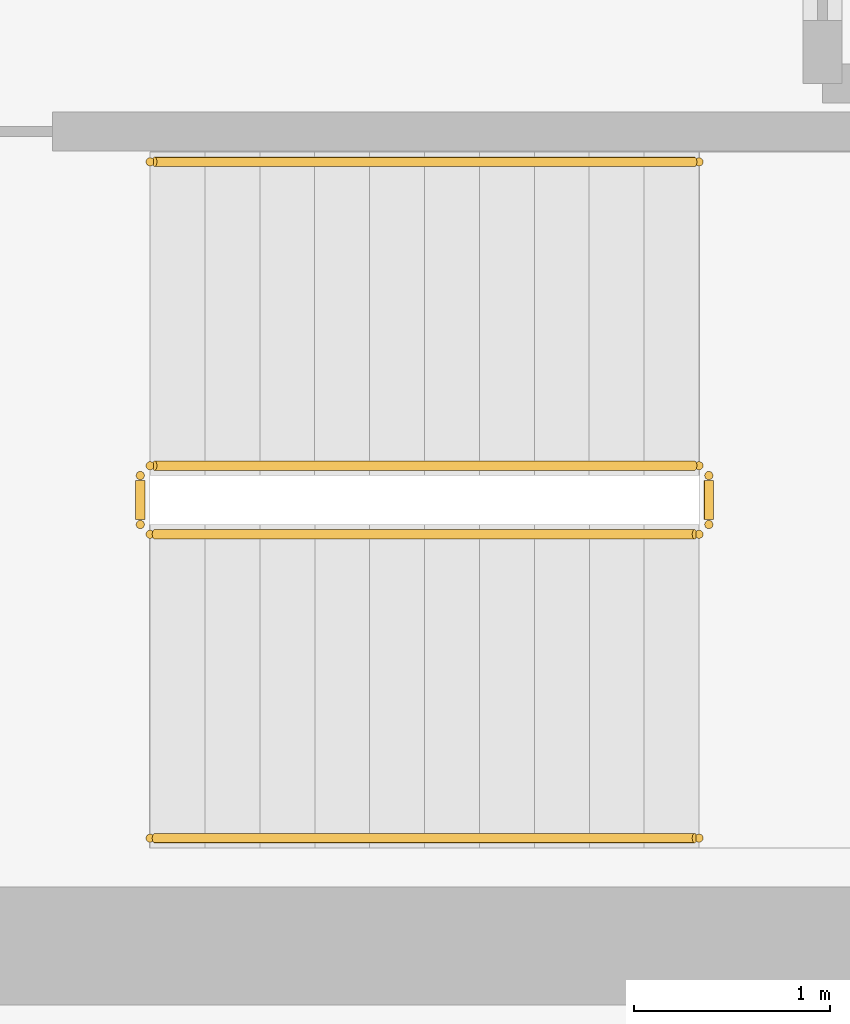
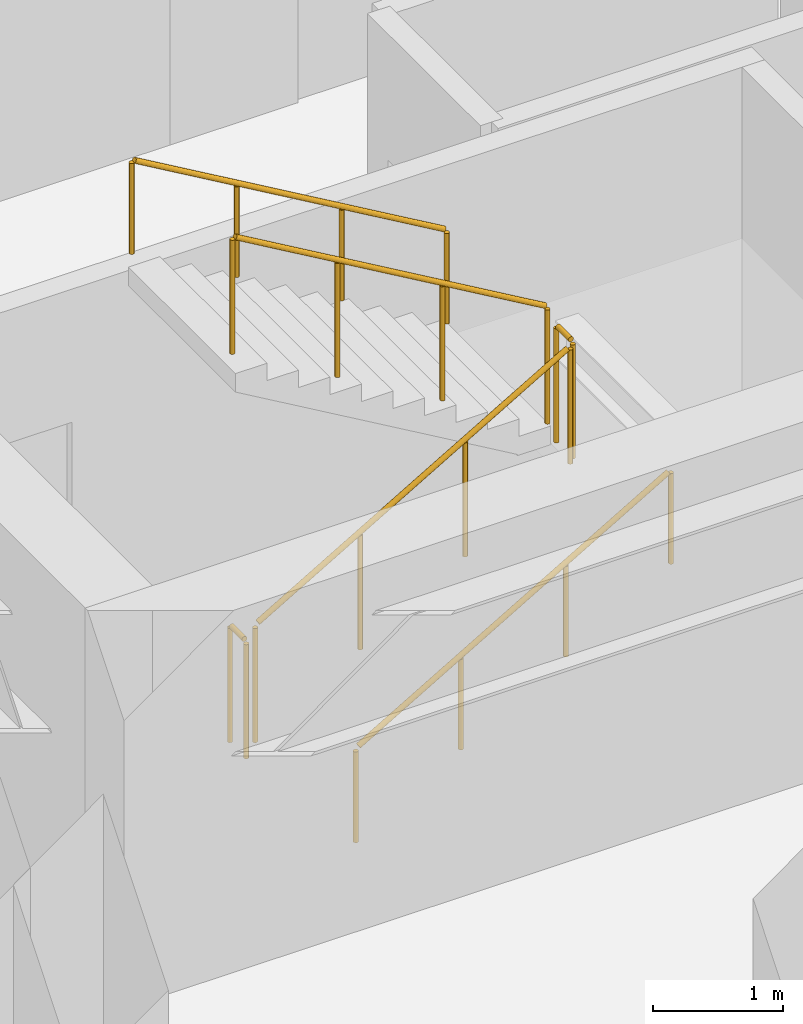
# One storey, part 13 of 13: 6 railings.
"""IFC4 building model written with IfcOpenShell, lengths in metres."""

from ifc_helpers import new_model, si_unit, direction, frame, origin, origin_2d, place, context, subcontext, project, spatial, circle, extrude, source, transform, mapped, material, layer, layer_set, type_object, element, save


model = new_model("IFC4")

# Units and contexts
model_context = context("Model", 3, precision=1e-05, world=origin(), true_north=direction((0.0, 1.0)))
body_context = subcontext(model_context, "Body", "Model", "MODEL_VIEW")
ifc_project = project(units=[si_unit("LENGTHUNIT", "METRE"), si_unit("AREAUNIT", "SQUARE_METRE"), si_unit("VOLUMEUNIT", "CUBIC_METRE"), si_unit("PLANEANGLEUNIT", "RADIAN"), si_unit("MASSUNIT", "GRAM", prefix="KILO")], contexts=[model_context])

# Site, building, storey
site_placement = place(None, origin())
site = spatial("IfcSite", under=ifc_project, at=site_placement, CompositionType="ELEMENT")
building_placement = place(site_placement, origin())
building = spatial("IfcBuilding", under=site, at=building_placement, Name="Kharzan Plaza Tower", CompositionType="ELEMENT")
storey_placement = place(building_placement, frame((0.0, 0.0, 153.89990234375)))
storey = spatial("IfcBuildingStorey", under=building, at=storey_placement, Name="L41", CompositionType="ELEMENT", Elevation=153.89990234375)

# Railings
ifc_material_1 = material(Name="Painted Galvanized Architectural Steel", Category="steel")
ifc_layer_1 = layer(ifc_material_1, 0.074951171875)
ifc_layer_set_1 = layer_set([ifc_layer_1], Name="Painted Galvanized Architectural Steel")
railing_type_1 = type_object("IfcRailingType", Name="RL-GUARD-1120", PredefinedType="BALUSTRADE", material=ifc_layer_set_1)
shared_shape_1 = source(origin(), body_context, "Body", "SweptSolid", [
    extrude(circle(Radius=0.02392578125, at=origin_2d()), frame((0.0, 0.0263671875, 1.09619140625), z_axis=(0.0, 1.0, 0.0), x_axis=(-1.0, 0.0, 0.0)), (0.0, 0.0, 1.0), 0.197021484375),
    extrude(circle(Radius=0.02099609375, at=origin_2d()), origin(), (0.0, 0.0, 1.0), 1.072021484375),
    extrude(circle(Radius=0.02099609375, at=origin_2d()), frame((0.0, 0.25, 0.0)), (0.0, 0.0, 1.0), 1.072021484375),
])
for number, where, name in (
    (1, (41.10009765625, 6.64990234375, 1.800048828125), "L41 ST-3 stair guard 2"),
    (2, (38.199951171875, 6.64990234375, 0.0), "L41 ST-3 stair guard 4"),
):
    element("IfcRailing", number, at=place(storey_placement, frame(where)), inside=storey, type_object=railing_type_1, Name=name, PredefinedType="BALUSTRADE", context=body_context, shape_type="MappedRepresentation", body=[
        mapped(shared_shape_1, transform((0.0, 0.0, 0.0), x_axis=(1.0, 0.0, 0.0), y_axis=(0.0, 1.0, 0.0), z_axis=(0.0, 0.0, 1.0))),
    ])
shared_shape_2 = source(origin(), body_context, "Body", "SweptSolid", [
    extrude(circle(Radius=0.02392578125, at=origin_2d()), frame((-0.02294921875, 0.0, 1.109375), z_axis=(-0.863360870873, 0.0, 0.504586966384), x_axis=(0.0, -1.0, 0.0)), (0.0, 0.0, 1.0), 3.190185546875),
    extrude(circle(Radius=0.02099609375, at=origin_2d()), origin(), (0.0, 0.0, 1.0), 1.072021484375),
    extrude(circle(Radius=0.02099609375, at=origin_2d()), frame((-0.933349609375, 0.0, 0.54541015625)), (0.0, 0.0, 1.0), 1.072021484375),
    extrude(circle(Radius=0.02099609375, at=origin_2d()), frame((-1.86669921875, 0.0, 1.091064453125)), (0.0, 0.0, 1.0), 1.072021484375),
    extrude(circle(Radius=0.02099609375, at=origin_2d()), frame((-2.800048828125, 0.0, 1.636474609375)), (0.0, 0.0, 1.0), 1.072021484375),
])
railing_1_placement = place(storey_placement, frame((41.050048828125, 6.949951171875, 1.963623046875)))
element("IfcRailing", 3, at=railing_1_placement, inside=storey, type_object=railing_type_1, Name="L41 ST-3 stair guard 3", PredefinedType="BALUSTRADE", context=body_context, shape_type="MappedRepresentation", body=[
    mapped(shared_shape_2, transform((0.0, 0.0, 0.0), x_axis=(1.0, 0.0, 0.0), y_axis=(0.0, 1.0, 0.0), z_axis=(0.0, 0.0, 1.0))),
])
ifc_material_2 = material(Name="Brushed Stainless Steel", Category="steel")
ifc_layer_2 = layer(ifc_material_2, 0.050048828125)
ifc_layer_set_2 = layer_set([ifc_layer_2], Name="Brushed Stainless Steel")
railing_type_2 = type_object("IfcRailingType", Name="RL-STAIR-HR920", PredefinedType="HANDRAIL", material=ifc_layer_set_2)
shared_shape_3 = source(origin(), body_context, "Body", "SweptSolid", [
    extrude(circle(Radius=0.02392578125, at=origin_2d()), frame((-0.02294921875, 0.0, 0.88916015625), z_axis=(-0.863360870873, 0.0, 0.504586966384), x_axis=(0.0, -1.0, 0.0)), (0.0, 0.0, 1.0), 3.190185546875),
    extrude(circle(Radius=0.02099609375, at=origin_2d()), origin(), (0.0, 0.0, 1.0), 0.851806640625),
    extrude(circle(Radius=0.02099609375, at=origin_2d()), frame((-0.933349609375, 0.0, 0.54541015625)), (0.0, 0.0, 1.0), 0.851806640625),
    extrude(circle(Radius=0.02099609375, at=origin_2d()), frame((-1.86669921875, 0.0, 1.091064453125)), (0.0, 0.0, 1.0), 0.851806640625),
    extrude(circle(Radius=0.02099609375, at=origin_2d()), frame((-2.800048828125, 0.0, 1.636474609375)), (0.0, 0.0, 1.0), 0.851806640625),
])
railing_2_placement = place(storey_placement, frame((41.050048828125, 8.5, 1.963623046875)))
element("IfcRailing", 4, at=railing_2_placement, inside=storey, type_object=railing_type_2, Name="L41 ST-3 stair handrail 2", PredefinedType="HANDRAIL", context=body_context, shape_type="MappedRepresentation", body=[
    mapped(shared_shape_3, transform((0.0, 0.0, 0.0), x_axis=(1.0, 0.0, 0.0), y_axis=(0.0, 1.0, 0.0), z_axis=(0.0, 0.0, 1.0))),
])
shared_shape_4 = source(origin(), body_context, "Body", "SweptSolid", [
    extrude(circle(Radius=0.02392578125, at=origin_2d()), frame((0.02294921875, 0.0, 1.109375), z_axis=(0.863393664356, 0.0, 0.504530851732), x_axis=(0.0, 1.0, 0.0)), (0.0, 0.0, 1.0), 3.190185546875),
    extrude(circle(Radius=0.02099609375, at=origin_2d()), origin(), (0.0, 0.0, 1.0), 1.072021484375),
    extrude(circle(Radius=0.02099609375, at=origin_2d()), frame((0.933349609375, 0.0, 0.54541015625)), (0.0, 0.0, 1.0), 1.072021484375),
    extrude(circle(Radius=0.02099609375, at=origin_2d()), frame((1.86669921875, 0.0, 1.0908203125)), (0.0, 0.0, 1.0), 1.072021484375),
    extrude(circle(Radius=0.02099609375, at=origin_2d()), frame((2.800048828125, 0.0, 1.63623046875)), (0.0, 0.0, 1.0), 1.072021484375),
])
railing_3_placement = place(storey_placement, frame((38.25, 6.60009765625, 0.163818359375)))
element("IfcRailing", 5, at=railing_3_placement, inside=storey, type_object=railing_type_1, Name="L41 ST-3 stair guard 1", PredefinedType="BALUSTRADE", context=body_context, shape_type="MappedRepresentation", body=[
    mapped(shared_shape_4, transform((0.0, 0.0, 0.0), x_axis=(1.0, 0.0, 0.0), y_axis=(0.0, 1.0, 0.0), z_axis=(0.0, 0.0, 1.0))),
])
shared_shape_5 = source(origin(), body_context, "Body", "SweptSolid", [
    extrude(circle(Radius=0.02392578125, at=origin_2d()), frame((0.02294921875, 0.0, 0.88916015625), z_axis=(0.863393664356, 0.0, 0.504530851732), x_axis=(0.0, 1.0, 0.0)), (0.0, 0.0, 1.0), 3.190185546875),
    extrude(circle(Radius=0.02099609375, at=origin_2d()), origin(), (0.0, 0.0, 1.0), 0.851806640625),
    extrude(circle(Radius=0.02099609375, at=origin_2d()), frame((0.933349609375, 0.0, 0.54541015625)), (0.0, 0.0, 1.0), 0.851806640625),
    extrude(circle(Radius=0.02099609375, at=origin_2d()), frame((1.86669921875, 0.0, 1.0908203125)), (0.0, 0.0, 1.0), 0.851806640625),
    extrude(circle(Radius=0.02099609375, at=origin_2d()), frame((2.800048828125, 0.0, 1.63623046875)), (0.0, 0.0, 1.0), 0.851806640625),
])
railing_4_placement = place(storey_placement, frame((38.25, 5.050048828125, 0.163818359375)))
element("IfcRailing", 6, at=railing_4_placement, inside=storey, type_object=railing_type_2, Name="L41 ST-3 stair handrail 1", PredefinedType="HANDRAIL", context=body_context, shape_type="MappedRepresentation", body=[
    mapped(shared_shape_5, transform((0.0, 0.0, 0.0), x_axis=(1.0, 0.0, 0.0), y_axis=(0.0, 1.0, 0.0), z_axis=(0.0, 0.0, 1.0))),
])

save(model, "model.ifc")
